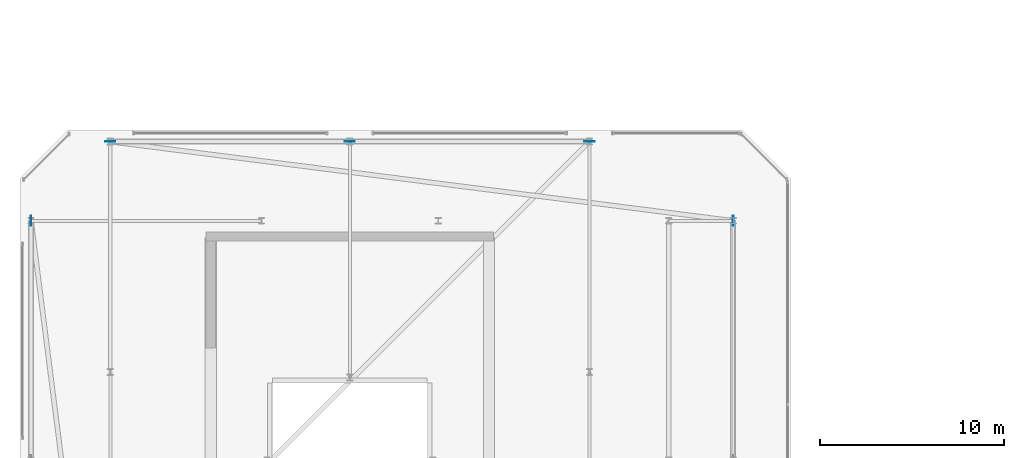
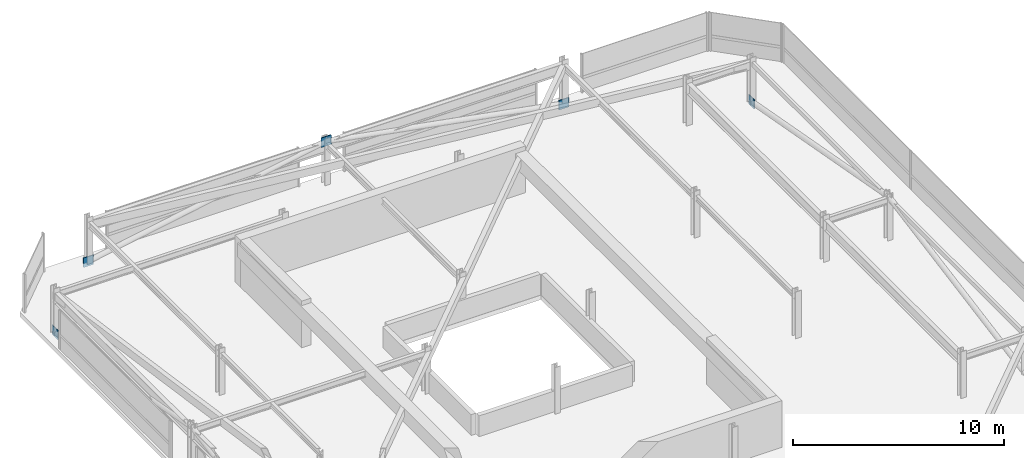
# One storey, part 40 of 42: 5 plates.
"""IFC4 building model written with IfcOpenShell, lengths in metres."""

from ifc_helpers import new_model, si_unit, direction, frame, origin, origin_2d, place, context, subcontext, project, spatial, rectangle, extrude, material, layer, layer_set, type_object, element, save


model = new_model("IFC4")

# Units and contexts
model_context = context("Model", 3, precision=1e-05, world=origin(), true_north=direction((0.0, 1.0)))
body_context = subcontext(model_context, "Body", "Model", "MODEL_VIEW")
ifc_project = project(units=[si_unit("LENGTHUNIT", "METRE"), si_unit("AREAUNIT", "SQUARE_METRE"), si_unit("VOLUMEUNIT", "CUBIC_METRE"), si_unit("PLANEANGLEUNIT", "RADIAN"), si_unit("MASSUNIT", "GRAM", prefix="KILO")], contexts=[model_context])

# Site, building, storey
site_placement = place(None, origin())
site = spatial("IfcSite", under=ifc_project, at=site_placement, CompositionType="ELEMENT")
building_placement = place(site_placement, origin())
building = spatial("IfcBuilding", under=site, at=building_placement, Name="Thornwick Lancets Civic Towers", CompositionType="ELEMENT")
storey_placement = place(building_placement, frame((0.0, 0.0, 286.800048828125)))
storey = spatial("IfcBuildingStorey", under=building, at=storey_placement, Name="C03", CompositionType="ELEMENT", Elevation=286.800048828125)

# Plates
ifc_material = material(Name="Steel S460M", Category="steel")
ifc_layer = layer(ifc_material, 0.0400390625, Name="Steel S460M")
ifc_layer_set = layer_set([ifc_layer], Name="Steel S460M")
plate_type = type_object("IfcPlateType", Name="PLT_GUSSET_40", PredefinedType="USERDEFINED", material=ifc_layer_set)
for number, where, z_axis, x_axis, name in (
    (1, (46.300048828125, 40.0, -0.22509765625), (0.0, 0.0, 1.0), (0.0, -1.0, 0.0), "C03 Brace Connection Gusset Plate 0490"),
    (2, (12.5, 44.300048828125, -0.22509765625), (0.0, 0.0, 1.0), (1.0, 0.0, 0.0), "C03 Brace Connection Gusset Plate 0491"),
    (3, (25.5, 44.300048828125, 2.1650390625), (0.0, 0.0, 1.0), (1.0, 0.0, 0.0), "C03 Brace Connection Gusset Plate 0492"),
    (4, (38.5, 44.300048828125, -0.22509765625), (0.0, 0.0, 1.0), (-1.0, 0.0, 0.0), "C03 Brace Connection Gusset Plate 0493"),
    (5, (8.199951171875, 40.0, -0.22509765625), (0.0, 0.0, 1.0), (0.0, -1.0, 0.0), "C03 Brace Connection Gusset Plate 0496"),
):
    element("IfcPlate", number, at=place(storey_placement, frame(where, z_axis=z_axis, x_axis=x_axis)), inside=storey, type_object=plate_type, Name=name, ObjectType="GUSSET_PLATE", PredefinedType="USERDEFINED", context=body_context, shape_type="SweptSolid", body=[
        extrude(rectangle(XDim=0.550048828125, YDim=0.0400390625, at=origin_2d()), origin(), (0.0, 0.0, 1.0), 0.550048828125),
    ])

save(model, "model.ifc")
